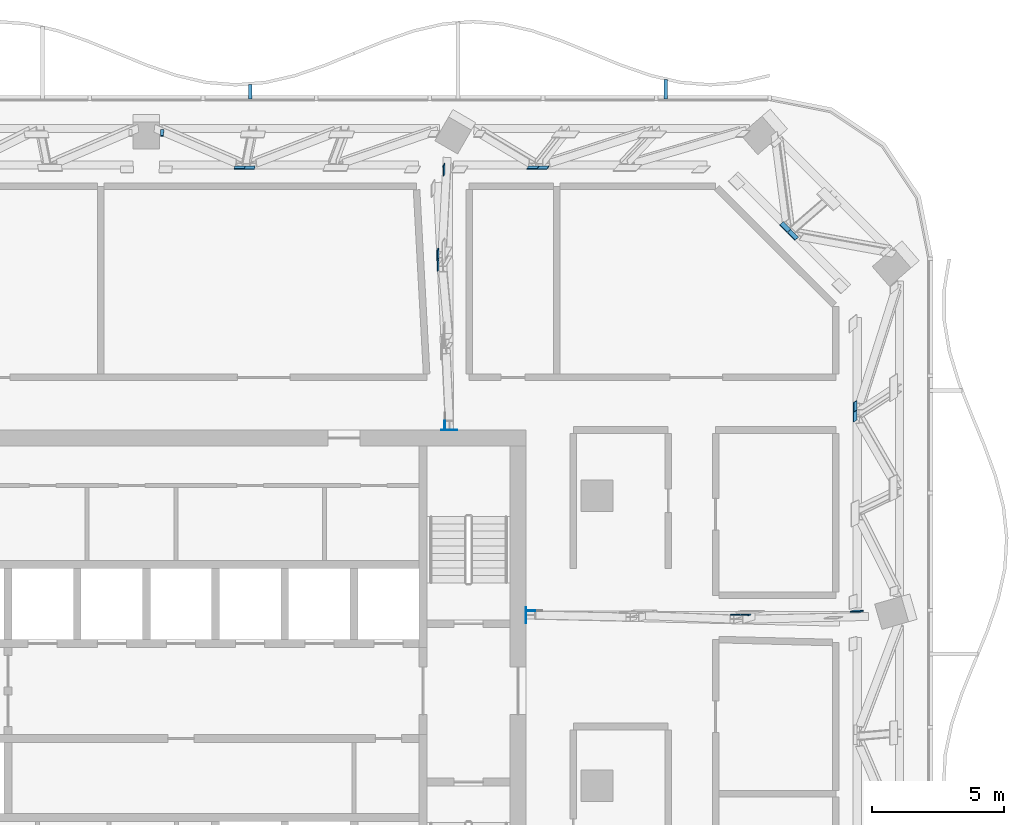
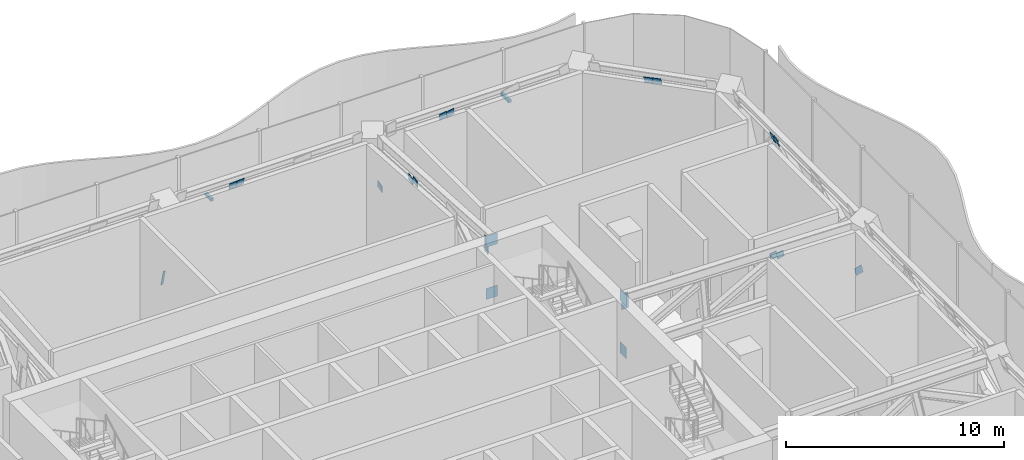
# One storey, part 22 of 29: 23 discrete accessories.
"""IFC4 building model written with IfcOpenShell, lengths in metres."""

from ifc_helpers import new_model, si_unit, direction, frame, origin, origin_2d, place, context, subcontext, project, spatial, rectangle, extrude, material, layer, layer_set, type_object, element, save


model = new_model("IFC4")

# Units and contexts
model_context = context("Model", 3, precision=1e-05, world=origin(), true_north=direction((0.0, 1.0)))
body_context = subcontext(model_context, "Body", "Model", "MODEL_VIEW")
ifc_project = project(units=[si_unit("LENGTHUNIT", "METRE"), si_unit("AREAUNIT", "SQUARE_METRE"), si_unit("VOLUMEUNIT", "CUBIC_METRE"), si_unit("PLANEANGLEUNIT", "RADIAN"), si_unit("MASSUNIT", "GRAM", prefix="KILO")], contexts=[model_context])

# Site, building, storey
site_placement = place(None, origin())
site = spatial("IfcSite", under=ifc_project, at=site_placement, CompositionType="ELEMENT")
building_placement = place(site_placement, origin())
building = spatial("IfcBuilding", under=site, at=building_placement, Name="Mopane Tessera Tower", CompositionType="ELEMENT")
storey_placement = place(building_placement, frame((0.0, 0.0, 315.39990234375)))
storey = spatial("IfcBuildingStorey", under=building, at=storey_placement, Name="L69", CompositionType="ELEMENT", Elevation=315.39990234375)

# Discrete accessories
ifc_material_1 = material(Name="Structural steel S460", Category="steel")
ifc_layer_1 = layer(ifc_material_1, 0.014892578125)
ifc_layer_set_1 = layer_set([ifc_layer_1], Name="Structural steel S460")
discrete_accessory_type_1 = type_object("IfcDiscreteAccessoryType", Name="Cast-in anchor plate 15 mm", PredefinedType="ANCHORPLATE", material=ifc_layer_set_1)
for number, where, z_axis, x_axis, name in (
    (1, (14.407470703125, 6.47998046875, 2.10009765625), (0.0, 0.0, 1.0), (1.0, 0.0, 0.0), "Cast-in anchor plate s ot L69 E2 b"),
    (2, (14.407470703125, 6.479736328125, 5.030029296875), (0.0, 0.0, 1.0), (1.0, 0.0, 0.0), "Cast-in anchor plate s ot L69 E2 t"),
    (3, (11.501220703125, 13.507568359375, 2.10009765625), (0.0, 0.0, 1.0), (0.0, 1.0, 0.0), "Cast-in anchor plate s ot L69 N1 b"),
    (4, (11.50048828125, 13.507568359375, 5.030029296875), (0.0, 0.0, 1.0), (0.0, 1.0, 0.0), "Cast-in anchor plate s ot L69 N1 t"),
):
    element("IfcDiscreteAccessory", number, at=place(storey_placement, frame(where, z_axis=z_axis, x_axis=x_axis)), inside=storey, type_object=discrete_accessory_type_1, Name=name, PredefinedType="ANCHORPLATE", context=body_context, shape_type="SweptSolid", body=[
        extrude(rectangle(XDim=0.014892578125, YDim=0.60498046875, at=origin_2d()), origin(), (0.0, 0.0, 1.0), 0.6201171875),
    ])
ifc_material_2 = material(Name="Stainless steel S316", Category="steel")
discrete_accessory_type_2 = type_object("IfcDiscreteAccessoryType", Name="Louvre bracket 150 x 150", PredefinedType="BRACKET", material=ifc_material_2)
discrete_accessory_1_placement = place(storey_placement, frame((19.708251953125, 26.431640625, 2.5400390625), z_axis=(0.0, 0.0, 1.0), x_axis=(0.0, 1.0, 0.0)))
element("IfcDiscreteAccessory", 5, at=discrete_accessory_1_placement, inside=storey, type_object=discrete_accessory_type_2, Name="e:lv:L69:N:0:br0", PredefinedType="BRACKET", context=body_context, shape_type="SweptSolid", body=[
    extrude(rectangle(XDim=0.7431640625, YDim=0.14990234375, at=origin_2d()), origin(), (0.0, 0.0, 1.0), 0.14990234375),
])
discrete_accessory_2_placement = place(storey_placement, frame((3.941650390625, 26.340576171875, 2.5400390625), z_axis=(0.0, 0.0, 1.0), x_axis=(0.0, 1.0, 0.0)))
element("IfcDiscreteAccessory", 6, at=discrete_accessory_2_placement, inside=storey, type_object=discrete_accessory_type_2, Name="e:lv:L69:N:1:br0", PredefinedType="BRACKET", context=body_context, shape_type="SweptSolid", body=[
    extrude(rectangle(XDim=0.561279296875, YDim=0.14990234375, at=origin_2d()), origin(), (0.0, 0.0, 1.0), 0.14990234375),
])
ifc_material_3 = material(Name="Structural steel S460", Category="steel")
ifc_layer_2 = layer(ifc_material_3, 0.030029296875)
ifc_layer_set_2 = layer_set([ifc_layer_2], Name="Structural steel S460")
discrete_accessory_type_3 = type_object("IfcDiscreteAccessoryType", Name="Truss node plate 30 mm", PredefinedType="BRACKET", material=ifc_layer_set_2)
discrete_accessory_3_placement = place(storey_placement, frame((14.58642578125, 6.644287109375, 4.580078125), z_axis=(-0.004340703892, -0.001356469966, 0.999989659086), x_axis=(-0.020092963244, 0.999797310704, 0.001268990543)))
element("IfcDiscreteAccessory", 7, at=discrete_accessory_3_placement, inside=storey, type_object=discrete_accessory_type_3, Name="Truss node plate s ot L69 E2 1", PredefinedType="BRACKET", context=body_context, shape_type="SweptSolid", body=[
    extrude(rectangle(XDim=0.030029296875, YDim=0.35009765625, at=origin_2d()), origin(), (0.0, 0.0, 1.0), 0.89990234375),
])
discrete_accessory_4_placement = place(storey_placement, frame((22.393310546875, 6.499755859375, 4.76025390625), z_axis=(-0.188911649404, -0.054544912856, 0.98047806768), x_axis=(-0.008674824567, 0.998509917525, 0.053876637083)))
element("IfcDiscreteAccessory", 8, at=discrete_accessory_4_placement, inside=storey, type_object=discrete_accessory_type_3, Name="Truss node plate s ot L69 E2 4", PredefinedType="BRACKET", context=body_context, shape_type="SweptSolid", body=[
    extrude(rectangle(XDim=0.030029296875, YDim=0.35986328125, at=origin_2d()), origin(), (0.0, 0.0, 1.0), 0.366943359375),
])
discrete_accessory_5_placement = place(storey_placement, frame((22.76220703125, 6.49853515625, 4.66748046875), z_axis=(-0.197207938219, -0.056439982318, 0.978735693382), x_axis=(-0.007240263766, 0.998398060836, 0.056114977498)))
element("IfcDiscreteAccessory", 9, at=discrete_accessory_5_placement, inside=storey, type_object=discrete_accessory_type_3, Name="Truss node plate s ot L69 E2 6", PredefinedType="BRACKET", context=body_context, shape_type="SweptSolid", body=[
    extrude(rectangle(XDim=0.030029296875, YDim=0.35986328125, at=origin_2d()), origin(), (0.0, 0.0, 1.0), 0.36767578125),
])
discrete_accessory_6_placement = place(storey_placement, frame((27.025634765625, 6.639892578125, 2.19189453125), z_axis=(-0.27505844407, -0.079354093026, 0.958147055658), x_axis=(-0.020089826534, 0.996844731617, 0.076791795897)))
element("IfcDiscreteAccessory", 10, at=discrete_accessory_6_placement, inside=storey, type_object=discrete_accessory_type_3, Name="Truss node plate s ot L69 E2 8", PredefinedType="BRACKET", context=body_context, shape_type="SweptSolid", body=[
    extrude(rectangle(XDim=0.030029296875, YDim=0.381591796875, at=origin_2d()), origin(), (0.0, 0.0, 1.0), 0.455322265625),
])
discrete_accessory_7_placement = place(storey_placement, frame((11.32666015625, 13.68505859375, 4.580078125), z_axis=(-0.00271292915, -0.004611979555, 0.999985684728), x_axis=(-0.999991369721, 0.003158996055, -0.00269837514)))
element("IfcDiscreteAccessory", 11, at=discrete_accessory_7_placement, inside=storey, type_object=discrete_accessory_type_3, Name="Truss node plate s ot L69 N1 1", PredefinedType="BRACKET", context=body_context, shape_type="SweptSolid", body=[
    extrude(rectangle(XDim=0.030029296875, YDim=0.35009765625, at=origin_2d()), origin(), (0.0, 0.0, 1.0), 0.89990234375),
])
discrete_accessory_8_placement = place(storey_placement, frame((11.08251953125, 19.793212890625, 4.749755859375), z_axis=(-0.093591857961, -0.161550277117, 0.982416445346), x_axis=(-0.995604526497, 0.011725884969, -0.092920021744)))
element("IfcDiscreteAccessory", 12, at=discrete_accessory_8_placement, inside=storey, type_object=discrete_accessory_type_3, Name="Truss node plate s ot L69 N1 4", PredefinedType="BRACKET", context=body_context, shape_type="SweptSolid", body=[
    extrude(rectangle(XDim=0.030029296875, YDim=0.402099609375, at=origin_2d()), origin(), (0.0, 0.0, 1.0), 0.409423828125),
])
discrete_accessory_9_placement = place(storey_placement, frame((11.075439453125, 20.1962890625, 4.6650390625), z_axis=(-0.098749555442, -0.170729653083, 0.98035703234), x_axis=(-0.995103726079, 0.012848273788, -0.097997429582)))
element("IfcDiscreteAccessory", 13, at=discrete_accessory_9_placement, inside=storey, type_object=discrete_accessory_type_3, Name="Truss node plate s ot L69 N1 6", PredefinedType="BRACKET", context=body_context, shape_type="SweptSolid", body=[
    extrude(rectangle(XDim=0.030029296875, YDim=0.402099609375, at=origin_2d()), origin(), (0.0, 0.0, 1.0), 0.410400390625),
])
discrete_accessory_10_placement = place(storey_placement, frame((11.319580078125, 23.427734375, 2.201416015625), z_axis=(-0.135231614238, -0.23327453456, 0.962961786384), x_axis=(-0.990809183177, 0.028803467587, -0.132164756221)))
element("IfcDiscreteAccessory", 14, at=discrete_accessory_10_placement, inside=storey, type_object=discrete_accessory_type_3, Name="Truss node plate s ot L69 N1 7", PredefinedType="BRACKET", context=body_context, shape_type="SweptSolid", body=[
    extrude(rectangle(XDim=0.030029296875, YDim=0.417236328125, at=origin_2d()), origin(), (0.0, 0.0, 1.0), 0.433349609375),
])
discrete_accessory_11_placement = place(storey_placement, frame((26.94189453125, 14.0615234375, 4.9931640625), z_axis=(-0.289239663262, -0.188425838723, 0.93852869988), x_axis=(-0.957256710298, 0.057024133919, -0.283562759791)))
element("IfcDiscreteAccessory", 15, at=discrete_accessory_11_placement, inside=storey, type_object=discrete_accessory_type_3, Name="Truss node plate s bt L69 E2-E3 4", PredefinedType="BRACKET", context=body_context, shape_type="SweptSolid", body=[
    extrude(rectangle(XDim=0.030029296875, YDim=0.3818359375, at=origin_2d()), origin(), (0.0, 0.0, 1.0), 0.40673828125),
])
discrete_accessory_12_placement = place(storey_placement, frame((26.95361328125, 14.43603515625, 4.95556640625), z_axis=(-0.288975056893, -0.193049726804, 0.937670101621), x_axis=(-0.957336556824, 0.05864642504, -0.282961682562)))
element("IfcDiscreteAccessory", 16, at=discrete_accessory_12_placement, inside=storey, type_object=discrete_accessory_type_3, Name="Truss node plate s bt L69 E2-E3 6", PredefinedType="BRACKET", context=body_context, shape_type="SweptSolid", body=[
    extrude(rectangle(XDim=0.030029296875, YDim=0.3818359375, at=origin_2d()), origin(), (0.0, 0.0, 1.0), 0.4072265625),
])
discrete_accessory_13_placement = place(storey_placement, frame((24.5908203125, 20.951416015625, 4.990234375), z_axis=(-0.285097910147, -0.246900326069, 0.926153016848), x_axis=(-0.646954819726, -0.663379929268, -0.376000705686)))
element("IfcDiscreteAccessory", 17, at=discrete_accessory_13_placement, inside=storey, type_object=discrete_accessory_type_3, Name="Truss node plate s bt L69 E3-N0 2", PredefinedType="BRACKET", context=body_context, shape_type="SweptSolid", body=[
    extrude(rectangle(XDim=0.030029296875, YDim=0.408447265625, at=origin_2d()), origin(), (0.0, 0.0, 1.0), 0.44091796875),
])
discrete_accessory_14_placement = place(storey_placement, frame((24.30224609375, 21.253662109375, 4.966552734375), z_axis=(-0.285606381772, -0.246861329981, 0.9260067378), x_axis=(-0.647480934435, -0.662663279889, -0.376358628212)))
element("IfcDiscreteAccessory", 18, at=discrete_accessory_14_placement, inside=storey, type_object=discrete_accessory_type_3, Name="Truss node plate s bt L69 E3-N0 4", PredefinedType="BRACKET", context=body_context, shape_type="SweptSolid", body=[
    extrude(rectangle(XDim=0.030029296875, YDim=0.408447265625, at=origin_2d()), origin(), (0.0, 0.0, 1.0), 0.441162109375),
])
discrete_accessory_15_placement = place(storey_placement, frame((15.08154296875, 23.500244140625, 4.991943359375), z_axis=(-0.199037498041, -0.252579748976, 0.946883068167), x_axis=(0.052316968433, -0.967576014632, -0.247102389149)))
element("IfcDiscreteAccessory", 19, at=discrete_accessory_15_placement, inside=storey, type_object=discrete_accessory_type_3, Name="Truss node plate s bt L69 N0-N1 4", PredefinedType="BRACKET", context=body_context, shape_type="SweptSolid", body=[
    extrude(rectangle(XDim=0.030029296875, YDim=0.397216796875, at=origin_2d()), origin(), (0.0, 0.0, 1.0), 0.41943359375),
])
discrete_accessory_16_placement = place(storey_placement, frame((14.706298828125, 23.508544921875, 4.96044921875), z_axis=(-0.194027909232, -0.252294548642, 0.947998223186), x_axis=(0.050428084158, -0.967650471791, -0.24720350477)))
element("IfcDiscreteAccessory", 20, at=discrete_accessory_16_placement, inside=storey, type_object=discrete_accessory_type_3, Name="Truss node plate s bt L69 N0-N1 6", PredefinedType="BRACKET", context=body_context, shape_type="SweptSolid", body=[
    extrude(rectangle(XDim=0.030029296875, YDim=0.397216796875, at=origin_2d()), origin(), (0.0, 0.0, 1.0), 0.4189453125),
])
discrete_accessory_17_placement = place(storey_placement, frame((3.92431640625, 23.500244140625, 4.9921875), z_axis=(-0.052475002317, -0.257604556828, 0.964824474417), x_axis=(0.015479812039, -0.966249353816, -0.25714307626)))
element("IfcDiscreteAccessory", 21, at=discrete_accessory_17_placement, inside=storey, type_object=discrete_accessory_type_3, Name="Truss node plate s bt L69 N1-N2 4", PredefinedType="BRACKET", context=body_context, shape_type="SweptSolid", body=[
    extrude(rectangle(XDim=0.030029296875, YDim=0.39501953125, at=origin_2d()), origin(), (0.0, 0.0, 1.0), 0.409423828125),
])
discrete_accessory_18_placement = place(storey_placement, frame((3.54638671875, 23.5087890625, 4.959716796875), z_axis=(-0.047723277114, -0.257109155451, 0.965203279628), x_axis=(0.012463355342, -0.966382342092, -0.256806996919)))
element("IfcDiscreteAccessory", 22, at=discrete_accessory_18_placement, inside=storey, type_object=discrete_accessory_type_3, Name="Truss node plate s bt L69 N1-N2 6", PredefinedType="BRACKET", context=body_context, shape_type="SweptSolid", body=[
    extrude(rectangle(XDim=0.030029296875, YDim=0.39501953125, at=origin_2d()), origin(), (0.0, 0.0, 1.0), 0.4091796875),
])
discrete_accessory_19_placement = place(storey_placement, frame((0.60302734375, 24.89794921875, -0.2490234375), z_axis=(-0.007601703055, -0.257671520785, 0.96620267102), x_axis=(0.001902199952, -0.966232566616, -0.257664527722)))
element("IfcDiscreteAccessory", 23, at=discrete_accessory_19_placement, inside=storey, type_object=discrete_accessory_type_3, Name="Truss node plate s bt L69 N1-N2 8", PredefinedType="BRACKET", context=body_context, shape_type="SweptSolid", body=[
    extrude(rectangle(XDim=0.030029296875, YDim=0.116455078125, at=origin_2d()), origin(), (0.0, 0.0, 1.0), 0.931396484375),
])

save(model, "model.ifc")
